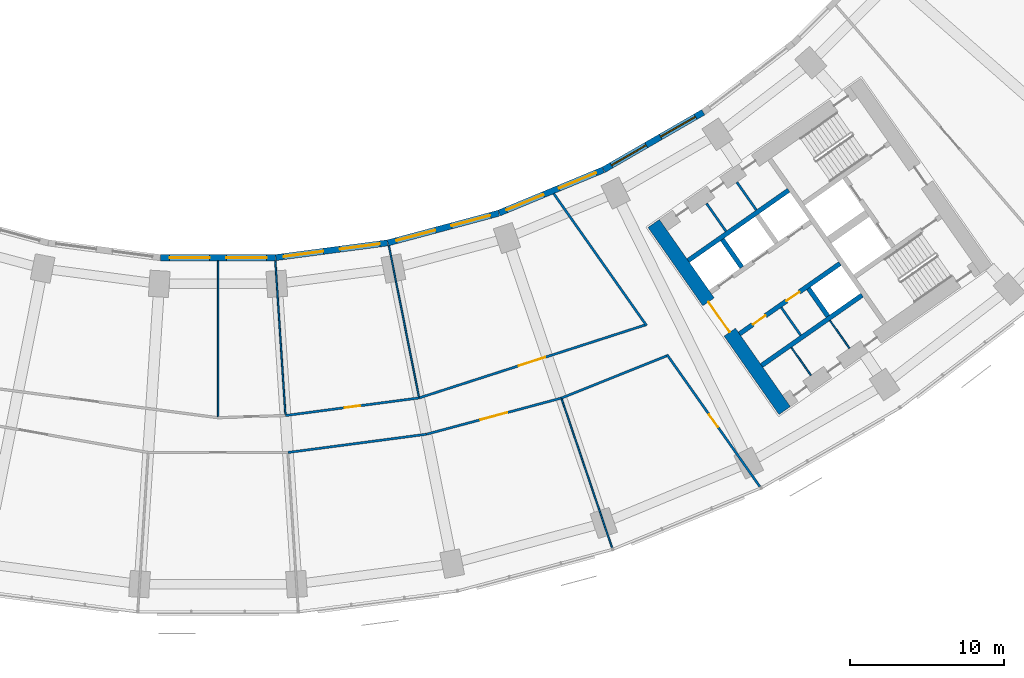
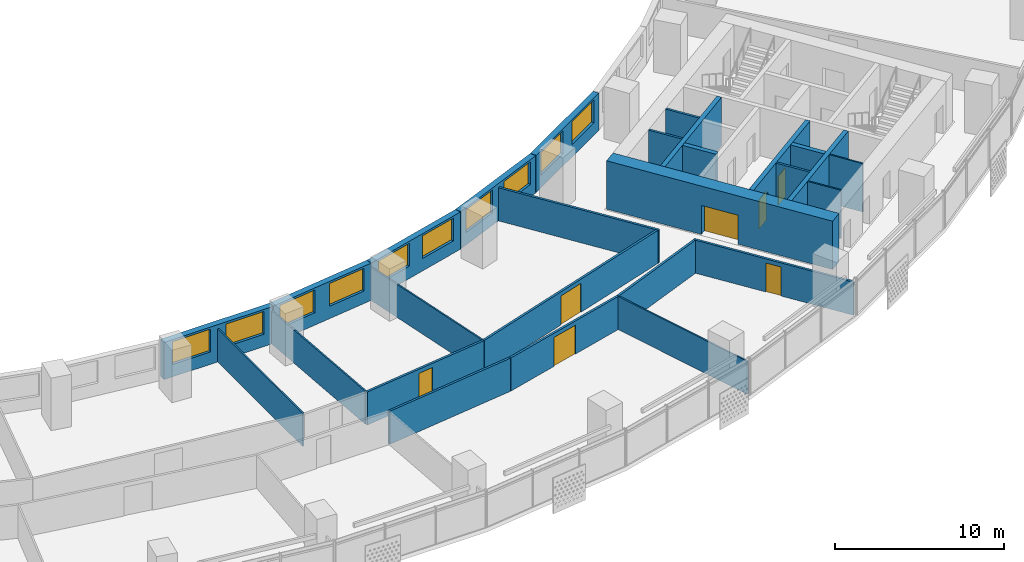
# One storey, part 6 of 31: 27 walls, 10 windows, 7 doors, 17 openings.
"""IFC4 building model written with IfcOpenShell, lengths in metres."""

from ifc_helpers import new_model, si_unit, direction, frame, frame_2d, origin, place, context, subcontext, project, spatial, rectangle, extrude, material, layer, layer_set, type_object, element, fill, save


model = new_model("IFC4")

# Units and contexts
model_context = context("Model", 3, precision=1e-05, world=origin(), true_north=direction((0.0, 1.0)))
body_context = subcontext(model_context, "Body", "Model", "MODEL_VIEW")
ifc_project = project(units=[si_unit("LENGTHUNIT", "METRE"), si_unit("AREAUNIT", "SQUARE_METRE"), si_unit("VOLUMEUNIT", "CUBIC_METRE"), si_unit("PLANEANGLEUNIT", "RADIAN"), si_unit("MASSUNIT", "GRAM", prefix="KILO")], contexts=[model_context])

# Site, building, storey
site_placement = place(None, origin())
site = spatial("IfcSite", under=ifc_project, at=site_placement, CompositionType="ELEMENT")
building_placement = place(site_placement, origin())
building = spatial("IfcBuilding", under=site, at=building_placement, Name="Qamariyya Broadcast Tower", CompositionType="ELEMENT")
storey_placement = place(building_placement, frame((0.0, 0.0, 82.300048828125)))
storey = spatial("IfcBuildingStorey", under=building, at=storey_placement, Name="L17", CompositionType="ELEMENT", Elevation=82.300048828125)

# Wall, opening, door
ifc_material_1 = material(Name="Concrete C70/85", Category="concrete")
ifc_layer_1 = layer(ifc_material_1, 0.89990234375)
ifc_layer_set_1 = layer_set([ifc_layer_1], Name="Core wall 900 mm Concrete C70/85")
wall_type_1 = type_object("IfcWallType", Name="Core wall 900 mm Concrete C70/85", PredefinedType="SHEAR", material=ifc_layer_set_1)
wall_1_placement = place(storey_placement, frame((36.716796875, -66.3369140625, 0.0), z_axis=(0.0, 0.0, 1.0), x_axis=(-0.573577477574, 0.819151315216, 0.0)))
wall_1 = element("IfcWall", 1, at=wall_1_placement, inside=storey, type_object=wall_type_1, Name="k-E-L17-WA", PredefinedType="SHEAR", context=body_context, shape_type="SweptSolid", body=[
    extrude(rectangle(XDim=14.800048828125, YDim=0.89990234375, at=frame_2d((7.39990234375, 0.0))), origin(), (0.0, 0.0, 1.0), 3.5),
])
opening_1_placement = place(wall_1_placement, frame((6.199951171875, 0.0, 0.0)))
opening_1 = element("IfcOpeningElement", 2, at=opening_1_placement, cuts=wall_1, Name="Opening KD3-E1", PredefinedType="OPENING", context=body_context, shape_type="SweptSolid", body=[
    extrude(rectangle(XDim=2.39990234375, YDim=2.10009765625, at=frame_2d((1.199951171875, 1.050048828125))), frame((0.0, 0.4599609375, 0.0), z_axis=(0.0, -1.0, 0.0), x_axis=(1.0, 0.0, 0.0)), (0.0, 0.0, 1.0), 0.919921875),
])
ifc_material_2 = material(Name="Steel fire-resisting door leaf", Category="steel")
door_type_1 = type_object("IfcDoorType", Name="Lift lobby door KD3", OperationType="DOUBLE_DOOR_SINGLE_SWING", PredefinedType="DOOR", material=ifc_material_2)
door_1_placement = place(opening_1_placement, origin())
door_1 = element("IfcDoor", 3, at=door_1_placement, inside=storey, type_object=door_type_1, Name="k-E-L17-WA-D1", OperationType="DOUBLE_DOOR_SINGLE_SWING", OverallHeight=2.10009765625, OverallWidth=2.39990234375, PredefinedType="DOOR", context=body_context, shape_type="SweptSolid", body=[
    extrude(rectangle(XDim=2.39990234375, YDim=2.10009765625, at=frame_2d((1.199951171875, 1.050048828125))), frame((0.0, 0.02490234375, 0.0), z_axis=(0.0, -1.0, 0.0), x_axis=(1.0, 0.0, 0.0)), (0.0, 0.0, 1.0), 0.050048828125),
])
fill(opening_1, door_1)

ifc_material_3 = material(Name="Gypsum board partition")
ifc_layer_2 = layer(ifc_material_3, 0.14990234375)
ifc_layer_set_2 = layer_set([ifc_layer_2], Name="Corridor partition 150 EI 60")
wall_type_2 = type_object("IfcWallType", Name="Corridor partition 150 EI 60", PredefinedType="PARTITIONING", material=ifc_layer_set_2)
wall_2_placement = place(storey_placement, frame((4.368896484375, -66.656982421875, 0.0), z_axis=(0.0, 0.0, 1.0), x_axis=(0.991443260322, 0.130538352841, 0.0)))
wall_2 = element("IfcWall", 4, at=wall_2_placement, inside=storey, type_object=wall_type_2, Name="Partition L17-017", PredefinedType="PARTITIONING", context=body_context, shape_type="SweptSolid", body=[
    extrude(rectangle(XDim=8.73779296875, YDim=0.14990234375, at=frame_2d((4.368896484375, 0.0))), origin(), (0.0, 0.0, 1.0), 2.39990234375),
])
opening_2_placement = place(wall_2_placement, frame((3.868896484375, 0.0, 0.0)))
opening_2 = element("IfcOpeningElement", 5, at=opening_2_placement, cuts=wall_2, Name="Opening L17-D10", PredefinedType="OPENING", context=body_context, shape_type="SweptSolid", body=[
    extrude(rectangle(XDim=1.0, YDim=2.10009765625, at=frame_2d((0.5, 1.050048828125))), frame((0.0, 0.0849609375, 0.0), z_axis=(0.0, -1.0, 0.0), x_axis=(1.0, 0.0, 0.0)), (0.0, 0.0, 1.0), 0.169921875),
])
ifc_material_4 = material(Name="Timber fire door leaf", Category="wood")
door_type_2 = type_object("IfcDoorType", Name="Fire door 1000 x 2100 FD60", OperationType="NOTDEFINED", PredefinedType="DOOR", material=ifc_material_4)
door_2_placement = place(opening_2_placement, origin())
door_2 = element("IfcDoor", 6, at=door_2_placement, inside=storey, type_object=door_type_2, Name="Door L17-D10", OperationType="SINGLE_SWING_RIGHT", OverallHeight=2.10009765625, OverallWidth=1.0, PredefinedType="DOOR", context=body_context, shape_type="SweptSolid", body=[
    extrude(rectangle(XDim=1.0, YDim=2.10009765625, at=frame_2d((0.5, 1.050048828125))), frame((0.0, 0.02490234375, 0.0), z_axis=(0.0, -1.0, 0.0), x_axis=(1.0, 0.0, 0.0)), (0.0, 0.0, 1.0), 0.050048828125),
])
fill(opening_2, door_2)

# Wall
wall_3_placement = place(storey_placement, frame((4.52587890625, -69.0517578125, 0.0), z_axis=(0.0, 0.0, 1.0), x_axis=(0.991445564509, 0.130520851265, 0.0)))
element("IfcWall", 7, at=wall_3_placement, inside=storey, type_object=wall_type_2, Name="Partition L17-018", PredefinedType="PARTITIONING", context=body_context, shape_type="SweptSolid", body=[
    extrude(rectangle(XDim=9.0439453125, YDim=0.14990234375, at=frame_2d((4.52197265625, 0.0))), origin(), (0.0, 0.0, 1.0), 2.39990234375),
])

# Wall, opening, door
wall_4_placement = place(storey_placement, frame((13.031982421875, -65.516357421875, 0.0), z_axis=(0.0, 0.0, 1.0), x_axis=(0.951666530015, 0.307133221338, 0.0)))
wall_4 = element("IfcWall", 8, at=wall_4_placement, inside=storey, type_object=wall_type_2, Name="Partition L17-021", PredefinedType="PARTITIONING", context=body_context, shape_type="SweptSolid", body=[
    extrude(rectangle(XDim=15.3662109375, YDim=0.14990234375, at=frame_2d((7.68310546875, 0.0))), origin(), (0.0, 0.0, 1.0), 2.39990234375),
])
opening_3_placement = place(wall_4_placement, frame((6.782958984375, 0.0, 0.0)))
opening_3 = element("IfcOpeningElement", 9, at=opening_3_placement, cuts=wall_4, Name="Opening L17-D11", PredefinedType="OPENING", context=body_context, shape_type="SweptSolid", body=[
    extrude(rectangle(XDim=1.800048828125, YDim=2.10009765625, at=frame_2d((0.89990234375, 1.050048828125))), frame((0.0, 0.0849609375, 0.0), z_axis=(0.0, -1.0, 0.0), x_axis=(1.0, 0.0, 0.0)), (0.0, 0.0, 1.0), 0.169921875),
])
door_type_3 = type_object("IfcDoorType", Name="Double fire door 1800 x 2100 FD60", OperationType="NOTDEFINED", PredefinedType="DOOR", material=ifc_material_4)
door_3_placement = place(opening_3_placement, origin())
door_3 = element("IfcDoor", 10, at=door_3_placement, inside=storey, type_object=door_type_3, Name="Door L17-D11", OperationType="DOUBLE_DOOR_SINGLE_SWING", OverallHeight=2.10009765625, OverallWidth=1.800048828125, PredefinedType="DOOR", context=body_context, shape_type="SweptSolid", body=[
    extrude(rectangle(XDim=1.800048828125, YDim=2.10009765625, at=frame_2d((0.89990234375, 1.050048828125))), frame((0.0, 0.02490234375, 0.0), z_axis=(0.0, -1.0, 0.0), x_axis=(1.0, 0.0, 0.0)), (0.0, 0.0, 1.0), 0.050048828125),
])
fill(opening_3, door_3)

wall_5_placement = place(storey_placement, frame((22.24365234375, -65.527587890625, 0.0), z_axis=(0.0, 0.0, 1.0), x_axis=(-0.965924193115, -0.258825140115, 0.0)))
wall_5 = element("IfcWall", 11, at=wall_5_placement, inside=storey, type_object=wall_type_2, Name="Partition L17-022", PredefinedType="PARTITIONING", context=body_context, shape_type="SweptSolid", body=[
    extrude(rectangle(XDim=9.0439453125, YDim=0.14990234375, at=frame_2d((4.52197265625, 0.0))), origin(), (0.0, 0.0, 1.0), 2.39990234375),
])
opening_4_placement = place(wall_5_placement, frame((3.621826171875, 0.0, 0.0)))
opening_4 = element("IfcOpeningElement", 12, at=opening_4_placement, cuts=wall_5, Name="Opening L17-D05", PredefinedType="OPENING", context=body_context, shape_type="SweptSolid", body=[
    extrude(rectangle(XDim=1.800048828125, YDim=2.10009765625, at=frame_2d((0.89990234375, 1.050048828125))), frame((0.0, 0.0849609375, 0.0), z_axis=(0.0, -1.0, 0.0), x_axis=(1.0, 0.0, 0.0)), (0.0, 0.0, 1.0), 0.169921875),
])
door_4_placement = place(opening_4_placement, origin())
door_4 = element("IfcDoor", 13, at=door_4_placement, inside=storey, type_object=door_type_3, Name="Door L17-D05", OperationType="DOUBLE_DOOR_SINGLE_SWING", OverallHeight=2.10009765625, OverallWidth=1.800048828125, PredefinedType="DOOR", context=body_context, shape_type="SweptSolid", body=[
    extrude(rectangle(XDim=1.800048828125, YDim=2.10009765625, at=frame_2d((0.89990234375, 1.050048828125))), frame((0.0, 0.02490234375, 0.0), z_axis=(0.0, -1.0, 0.0), x_axis=(1.0, 0.0, 0.0)), (0.0, 0.0, 1.0), 0.050048828125),
])
fill(opening_4, door_4)

# Walls
wall_6_placement = place(storey_placement, frame((21.748291015625, -52.2763671875, 0.0), z_axis=(0.0, 0.0, 1.0), x_axis=(0.575419434668, -0.817858468322, 0.0)))
element("IfcWall", 14, at=wall_6_placement, inside=storey, type_object=wall_type_2, Name="Partition L17-023", PredefinedType="PARTITIONING", context=body_context, shape_type="SweptSolid", body=[
    extrude(rectangle(XDim=10.46484375, YDim=0.14990234375, at=frame_2d((5.232421875, 0.0))), origin(), (0.0, 0.0, 1.0), 2.39990234375),
])
wall_7_placement = place(storey_placement, frame((22.24365234375, -65.527587890625, 0.0), z_axis=(0.0, 0.0, 1.0), x_axis=(0.928339065762, 0.371734554462, 0.0)))
element("IfcWall", 15, at=wall_7_placement, inside=storey, type_object=wall_type_2, Name="Partition L17-024", PredefinedType="PARTITIONING", context=body_context, shape_type="SweptSolid", body=[
    extrude(rectangle(XDim=7.343994140625, YDim=0.14990234375, at=frame_2d((3.671875, 0.0))), origin(), (0.0, 0.0, 1.0), 2.39990234375),
])

# Wall, opening, door
wall_8_placement = place(storey_placement, frame((35.11328125, -71.2724609375, 0.0), z_axis=(0.0, 0.0, 1.0), x_axis=(-0.575411972256, 0.817863718589, 0.0)))
wall_8 = element("IfcWall", 16, at=wall_8_placement, inside=storey, type_object=wall_type_2, Name="Partition L17-026", PredefinedType="PARTITIONING", context=body_context, shape_type="SweptSolid", body=[
    extrude(rectangle(XDim=10.471435546875, YDim=0.14990234375, at=frame_2d((5.23583984375, 0.0))), origin(), (0.0, 0.0, 1.0), 2.39990234375),
])
opening_5_placement = place(wall_8_placement, frame((4.735595703125, 0.0, 0.0)))
opening_5 = element("IfcOpeningElement", 17, at=opening_5_placement, cuts=wall_8, Name="Opening L17-D06", PredefinedType="OPENING", context=body_context, shape_type="SweptSolid", body=[
    extrude(rectangle(XDim=1.0, YDim=2.10009765625, at=frame_2d((0.5, 1.050048828125))), frame((0.0, 0.0849609375, 0.0), z_axis=(0.0, -1.0, 0.0), x_axis=(1.0, 0.0, 0.0)), (0.0, 0.0, 1.0), 0.169921875),
])
door_5_placement = place(opening_5_placement, origin())
door_5 = element("IfcDoor", 18, at=door_5_placement, inside=storey, type_object=door_type_2, Name="Door L17-D06", OperationType="SINGLE_SWING_RIGHT", OverallHeight=2.10009765625, OverallWidth=1.0, PredefinedType="DOOR", context=body_context, shape_type="SweptSolid", body=[
    extrude(rectangle(XDim=1.0, YDim=2.10009765625, at=frame_2d((0.5, 1.050048828125))), frame((0.0, 0.02490234375, 0.0), z_axis=(0.0, -1.0, 0.0), x_axis=(1.0, 0.0, 0.0)), (0.0, 0.0, 1.0), 0.050048828125),
])
fill(opening_5, door_5)

# Walls
ifc_material_5 = material(Name="Gypsum board partition on steel studs", Category="steel")
ifc_layer_3 = layer(ifc_material_5, 0.14990234375)
ifc_layer_set_3 = layer_set([ifc_layer_3], Name="Gypsum board partition 150 mm")
wall_type_3 = type_object("IfcWallType", Name="Gypsum board partition 150 mm", PredefinedType="PARTITIONING", material=ifc_layer_set_3)
wall_9_placement = place(storey_placement, frame((36.49462890625, -59.65625, 0.0), z_axis=(0.0, 0.0, 1.0), x_axis=(0.573633636671, -0.819111989218, 0.0)))
element("IfcWall", 19, at=wall_9_placement, inside=storey, type_object=wall_type_3, Name="k-E-L17-SC320", PredefinedType="PARTITIONING", context=body_context, shape_type="SweptSolid", body=[
    extrude(rectangle(XDim=2.199951171875, YDim=0.14990234375, at=frame_2d((1.10009765625, 0.0))), origin(), (0.0, 0.0, 1.0), 3.5),
])
wall_10_placement = place(storey_placement, frame((32.9140625, -54.716796875, 0.0), z_axis=(0.0, 0.0, 1.0), x_axis=(-0.573581496053, 0.819148501424, 0.0)))
element("IfcWall", 20, at=wall_10_placement, inside=storey, type_object=wall_type_3, Name="k-E-L17-NP310", PredefinedType="PARTITIONING", context=body_context, shape_type="SweptSolid", body=[
    extrude(rectangle(XDim=2.2001953125, YDim=0.14990234375, at=frame_2d((1.10009765625, 0.0))), origin(), (0.0, 0.0, 1.0), 3.5),
])
wall_11_placement = place(storey_placement, frame((34.8798828125, -53.340087890625, 0.0), z_axis=(0.0, 0.0, 1.0), x_axis=(-0.573559170999, 0.819164133348, 0.0)))
element("IfcWall", 21, at=wall_11_placement, inside=storey, type_object=wall_type_3, Name="k-E-L17-NP550", PredefinedType="PARTITIONING", context=body_context, shape_type="SweptSolid", body=[
    extrude(rectangle(XDim=2.19970703125, YDim=0.14990234375, at=frame_2d((1.099853515625, 0.0))), origin(), (0.0, 0.0, 1.0), 3.5),
])
ifc_material_6 = material(Name="Concrete C60/75", Category="concrete")
ifc_layer_4 = layer(ifc_material_6, 0.300048828125)
ifc_layer_set_4 = layer_set([ifc_layer_4], Name="Lift shaft wall 300 mm Concrete C60/75")
wall_type_4 = type_object("IfcWallType", Name="Lift shaft wall 300 mm Concrete C60/75", PredefinedType="SOLIDWALL", material=ifc_layer_set_4)
wall_12_placement = place(storey_placement, frame((30.460693359375, -56.61767578125, 0.0), z_axis=(0.0, 0.0, 1.0), x_axis=(0.819142461705, 0.573590121456, 0.0)))
element("IfcWall", 22, at=wall_12_placement, inside=storey, type_object=wall_type_4, Name="k-E-L17-NB0", PredefinedType="SOLIDWALL", context=body_context, shape_type="SweptSolid", body=[
    extrude(rectangle(XDim=7.949951171875, YDim=0.300048828125, at=frame_2d((3.97509765625, 0.0))), origin(), (0.0, 0.0, 1.0), 3.5),
])
wall_13_placement = place(storey_placement, frame((33.9384765625, -57.051513671875, 0.0), z_axis=(0.0, 0.0, 1.0), x_axis=(-0.573581496053, 0.819148501424, 0.0)))
element("IfcWall", 23, at=wall_13_placement, inside=storey, type_object=wall_type_4, Name="k-E-L17-ND0", PredefinedType="SOLIDWALL", context=body_context, shape_type="SweptSolid", body=[
    extrude(rectangle(XDim=2.2001953125, YDim=0.300048828125, at=frame_2d((1.10009765625, 0.0))), origin(), (0.0, 0.0, 1.0), 3.5),
])

# Wall, openings, doors
wall_14_placement = place(storey_placement, frame((33.787353515625, -61.368896484375, 0.0), z_axis=(0.0, 0.0, 1.0), x_axis=(0.819152564888, 0.573575692858, 0.0)))
wall_14 = element("IfcWall", 24, at=wall_14_placement, inside=storey, type_object=wall_type_4, Name="k-E-L17-SF0", PredefinedType="SOLIDWALL", context=body_context, shape_type="SweptSolid", body=[
    extrude(rectangle(XDim=7.9501953125, YDim=0.300048828125, at=frame_2d((3.97509765625, 0.0))), origin(), (0.0, 0.0, 1.0), 3.5),
])
opening_6_placement = place(wall_14_placement, frame((1.0625, 0.0, 0.0)))
opening_6 = element("IfcOpeningElement", 25, at=opening_6_placement, cuts=wall_14, Name="Opening KD6-E1", PredefinedType="OPENING", context=body_context, shape_type="SweptSolid", body=[
    extrude(rectangle(XDim=1.0, YDim=2.10009765625, at=frame_2d((0.5, 1.050048828125))), frame((0.0, 0.159912109375, 0.0), z_axis=(0.0, -1.0, 0.0), x_axis=(1.0, 0.0, 0.0)), (0.0, 0.0, 1.0), 0.320068359375),
])
opening_7_placement = place(wall_14_placement, frame((3.737548828125, 0.0, 0.0)))
opening_7 = element("IfcOpeningElement", 26, at=opening_7_placement, cuts=wall_14, Name="Opening KD6-E2", PredefinedType="OPENING", context=body_context, shape_type="SweptSolid", body=[
    extrude(rectangle(XDim=1.0, YDim=2.10009765625, at=frame_2d((0.5, 1.050048828125))), frame((0.0, 0.159912109375, 0.0), z_axis=(0.0, -1.0, 0.0), x_axis=(1.0, 0.0, 0.0)), (0.0, 0.0, 1.0), 0.320068359375),
])
door_type_4 = type_object("IfcDoorType", Name="Core room door KD6", OperationType="SINGLE_SWING_LEFT", PredefinedType="DOOR", material=ifc_material_2)
door_6_placement = place(opening_6_placement, origin())
door_6 = element("IfcDoor", 27, at=door_6_placement, inside=storey, type_object=door_type_4, Name="k-E-L17-SF0-D5", OperationType="SINGLE_SWING_LEFT", OverallHeight=2.10009765625, OverallWidth=1.0, PredefinedType="DOOR", context=body_context, shape_type="SweptSolid", body=[
    extrude(rectangle(XDim=1.0, YDim=2.10009765625, at=frame_2d((0.5, 1.050048828125))), frame((0.0, 0.02490234375, 0.0), z_axis=(0.0, -1.0, 0.0), x_axis=(1.0, 0.0, 0.0)), (0.0, 0.0, 1.0), 0.050048828125),
])
fill(opening_6, door_6)
door_7_placement = place(opening_7_placement, origin())
door_7 = element("IfcDoor", 28, at=door_7_placement, inside=storey, type_object=door_type_4, Name="k-E-L17-SF0-D6", OperationType="SINGLE_SWING_RIGHT", OverallHeight=2.10009765625, OverallWidth=1.0, PredefinedType="DOOR", context=body_context, shape_type="SweptSolid", body=[
    extrude(rectangle(XDim=1.0, YDim=2.10009765625, at=frame_2d((0.5, 1.050048828125))), frame((0.0, 0.02490234375, 0.0), z_axis=(0.0, -1.0, 0.0), x_axis=(1.0, 0.0, 0.0)), (0.0, 0.0, 1.0), 0.050048828125),
])
fill(opening_7, door_7)

# Walls
wall_15_placement = place(storey_placement, frame((35.22119140625, -63.41650390625, 0.0), z_axis=(0.0, 0.0, 1.0), x_axis=(0.819166993208, 0.573555086491, 0.0)))
element("IfcWall", 29, at=wall_15_placement, inside=storey, type_object=wall_type_4, Name="k-E-L17-SB0", PredefinedType="SOLIDWALL", context=body_context, shape_type="SweptSolid", body=[
    extrude(rectangle(XDim=7.9501953125, YDim=0.300048828125, at=frame_2d((3.97509765625, 0.0))), origin(), (0.0, 0.0, 1.0), 3.5),
])
wall_16_placement = place(storey_placement, frame((38.255859375, -58.423095703125, 0.0), z_axis=(0.0, 0.0, 1.0), x_axis=(0.573633636671, -0.819111989218, 0.0)))
element("IfcWall", 30, at=wall_16_placement, inside=storey, type_object=wall_type_4, Name="k-E-L17-SD1", PredefinedType="SOLIDWALL", context=body_context, shape_type="SweptSolid", body=[
    extrude(rectangle(XDim=2.199951171875, YDim=0.300048828125, at=frame_2d((1.10009765625, 0.0))), origin(), (0.0, 0.0, 1.0), 3.5),
])
ifc_layer_5 = layer(ifc_material_3, 0.10009765625)
ifc_layer_set_5 = layer_set([ifc_layer_5], Name="Partition 100")
wall_type_5 = type_object("IfcWallType", Name="Partition 100", PredefinedType="PARTITIONING", material=ifc_layer_set_5)
wall_17_placement = place(storey_placement, frame((0.0, -56.62939453125, 0.0), z_axis=(0.0, 0.0, 1.0), x_axis=(0.0, -1.0, 0.0)))
element("IfcWall", 31, at=wall_17_placement, inside=storey, type_object=wall_type_5, Name="Partition L17-015", PredefinedType="PARTITIONING", context=body_context, shape_type="SweptSolid", body=[
    extrude(rectangle(XDim=10.095703125, YDim=0.10009765625, at=frame_2d((5.0478515625, 0.0))), origin(), (0.0, 0.0, 1.0), 2.39990234375),
])
for number, where, z_axis, x_axis, name in (
    (32, (3.711669921875, -56.62841796875, 0.0), (0.0, 0.0, 1.0), (0.06539808502, -0.997859253841, 0.0), "Partition L17-016"),
    (33, (11.0712890625, -55.65966796875, 0.0), (0.0, 0.0, 1.0), (0.195094645032, -0.980784420492, 0.0), "Partition L17-020"),
):
    element("IfcWall", number, at=place(storey_placement, frame(where, z_axis=z_axis, x_axis=x_axis)), inside=storey, type_object=wall_type_5, Name=name, PredefinedType="PARTITIONING", context=body_context, shape_type="SweptSolid", body=[
        extrude(rectangle(XDim=9.974853515625, YDim=0.10009765625, at=frame_2d((4.9873046875, 0.0))), origin(), (0.0, 0.0, 1.0), 2.39990234375),
    ])
wall_18_placement = place(storey_placement, frame((25.538330078125, -75.233642578125, 0.0), z_axis=(0.0, 0.0, 1.0), x_axis=(-0.32142736677, 0.946934236308, 0.0)))
element("IfcWall", 34, at=wall_18_placement, inside=storey, type_object=wall_type_5, Name="Partition L17-025", PredefinedType="PARTITIONING", context=body_context, shape_type="SweptSolid", body=[
    extrude(rectangle(XDim=10.175048828125, YDim=0.10009765625, at=frame_2d((5.08740234375, 0.0))), origin(), (0.0, 0.0, 1.0), 2.39990234375),
])
ifc_material_7 = material(Name="Fire-rated gypsum shaft liner on steel studs", Category="steel")
ifc_layer_6 = layer(ifc_material_7, 0.10009765625)
ifc_layer_set_6 = layer_set([ifc_layer_6], Name="Riser wall 100 mm")
wall_type_6 = type_object("IfcWallType", Name="Riser wall 100 mm", PredefinedType="PLUMBINGWALL", material=ifc_layer_set_6)
for number, where, z_axis, x_axis, name in (
    (35, (37.150390625, -62.2490234375, 0.0), (0.0, 0.0, 1.0), (0.573633636671, -0.819111989218, 0.0), "k-E-L17-SP225"),
    (36, (39.64892578125, -60.49951171875, 0.0), (0.0, 0.0, 1.0), (0.573507030513, -0.819200638399, 0.0), "k-E-L17-SP530"),
):
    element("IfcWall", number, at=place(storey_placement, frame(where, z_axis=z_axis, x_axis=x_axis)), inside=storey, type_object=wall_type_6, Name=name, PredefinedType="PLUMBINGWALL", context=body_context, shape_type="SweptSolid", body=[
        extrude(rectangle(XDim=2.199951171875, YDim=0.10009765625, at=frame_2d((1.10009765625, 0.0))), origin(), (0.0, 0.0, 1.0), 3.5),
    ])

# Wall, openings, windows
ifc_material_8 = material(Name="Terracotta", Category="masonry")
ifc_layer_7 = layer(ifc_material_8, 0.39990234375)
ifc_layer_set_7 = layer_set([ifc_layer_7], Name="Terracotta clad wall 400")
wall_type_7 = type_object("IfcWallType", Name="Terracotta clad wall 400", PredefinedType="SOLIDWALL", material=ifc_layer_set_7)
wall_19_placement = place(storey_placement, frame((18.20166015625, -53.542724609375, 0.0), z_axis=(0.0, 0.0, 1.0), x_axis=(-0.965924637935, -0.25882348006, 0.0)))
wall_19 = element("IfcWall", 37, at=wall_19_placement, inside=storey, type_object=wall_type_7, Name="e-wl-L17-in100", PredefinedType="SOLIDWALL", context=body_context, shape_type="SweptSolid", body=[
    extrude(rectangle(XDim=7.447021484375, YDim=0.39990234375, at=frame_2d((3.7236328125, 0.0))), origin(), (0.0, 0.0, 1.0), 2.699951171875),
])
opening_8_placement = place(wall_19_placement, frame((4.266357421875, 0.0, 0.89990234375)))
opening_8 = element("IfcOpeningElement", 38, at=opening_8_placement, cuts=wall_19, Name="Opening W1", PredefinedType="OPENING", context=body_context, shape_type="SweptSolid", body=[
    extrude(rectangle(XDim=2.60009765625, YDim=1.64990234375, at=frame_2d((1.300048828125, 0.824951171875))), frame((0.0, 0.2099609375, 0.0), z_axis=(0.0, -1.0, 0.0), x_axis=(1.0, 0.0, 0.0)), (0.0, 0.0, 1.0), 0.419921875),
])
opening_9_placement = place(wall_19_placement, frame((0.580810546875, 0.0, 0.89990234375)))
opening_9 = element("IfcOpeningElement", 39, at=opening_9_placement, cuts=wall_19, Name="Opening W1", PredefinedType="OPENING", context=body_context, shape_type="SweptSolid", body=[
    extrude(rectangle(XDim=2.60009765625, YDim=1.64990234375, at=frame_2d((1.300048828125, 0.824951171875))), frame((0.0, 0.2099609375, 0.0), z_axis=(0.0, -1.0, 0.0), x_axis=(1.0, 0.0, 0.0)), (0.0, 0.0, 1.0), 0.419921875),
])
ifc_material_9 = material(Name="Clear low-e double glazed unit in aluminium frame", Category="aluminium")
window_type = type_object("IfcWindowType", Name="Ribbon window 2600 x 1650", PartitioningType="SINGLE_PANEL", PredefinedType="WINDOW", material=ifc_material_9)
window_1_placement = place(opening_8_placement, origin())
window_1 = element("IfcWindow", 40, at=window_1_placement, inside=storey, type_object=window_type, Name="e-w-L17-in10-0", OverallHeight=1.64990234375, OverallWidth=2.60009765625, PartitioningType="SINGLE_PANEL", PredefinedType="WINDOW", context=body_context, shape_type="SweptSolid", body=[
    extrude(rectangle(XDim=2.60009765625, YDim=1.64990234375, at=frame_2d((1.300048828125, 0.824951171875))), frame((0.0, 0.030029296875, 0.0), z_axis=(0.0, -1.0, 0.0), x_axis=(1.0, 0.0, 0.0)), (0.0, 0.0, 1.0), 0.06005859375),
])
fill(opening_8, window_1)
window_2_placement = place(opening_9_placement, origin())
window_2 = element("IfcWindow", 41, at=window_2_placement, inside=storey, type_object=window_type, Name="e-w-L17-in10-1", OverallHeight=1.64990234375, OverallWidth=2.60009765625, PartitioningType="SINGLE_PANEL", PredefinedType="WINDOW", context=body_context, shape_type="SweptSolid", body=[
    extrude(rectangle(XDim=2.60009765625, YDim=1.64990234375, at=frame_2d((1.300048828125, 0.824951171875))), frame((0.0, 0.030029296875, 0.0), z_axis=(0.0, -1.0, 0.0), x_axis=(1.0, 0.0, 0.0)), (0.0, 0.0, 1.0), 0.06005859375),
])
fill(opening_9, window_2)

wall_20_placement = place(storey_placement, frame((24.96484375, -50.738037109375, 0.0), z_axis=(0.0, 0.0, 1.0), x_axis=(-0.923891626322, -0.382654234018, 0.0)))
wall_20 = element("IfcWall", 42, at=wall_20_placement, inside=storey, type_object=wall_type_7, Name="e-wl-L17-in110", PredefinedType="SOLIDWALL", context=body_context, shape_type="SweptSolid", body=[
    extrude(rectangle(XDim=7.295654296875, YDim=0.39990234375, at=frame_2d((3.64794921875, 0.0))), origin(), (0.0, 0.0, 1.0), 2.699951171875),
])
opening_10_placement = place(wall_20_placement, frame((4.190673828125, 0.0, 0.89990234375)))
opening_10 = element("IfcOpeningElement", 43, at=opening_10_placement, cuts=wall_20, Name="Opening W1", PredefinedType="OPENING", context=body_context, shape_type="SweptSolid", body=[
    extrude(rectangle(XDim=2.60009765625, YDim=1.64990234375, at=frame_2d((1.300048828125, 0.824951171875))), frame((0.0, 0.2099609375, 0.0), z_axis=(0.0, -1.0, 0.0), x_axis=(1.0, 0.0, 0.0)), (0.0, 0.0, 1.0), 0.419921875),
])
opening_11_placement = place(wall_20_placement, frame((0.505126953125, 0.0, 0.89990234375)))
opening_11 = element("IfcOpeningElement", 44, at=opening_11_placement, cuts=wall_20, Name="Opening W1", PredefinedType="OPENING", context=body_context, shape_type="SweptSolid", body=[
    extrude(rectangle(XDim=2.60009765625, YDim=1.64990234375, at=frame_2d((1.300048828125, 0.824951171875))), frame((0.0, 0.2099609375, 0.0), z_axis=(0.0, -1.0, 0.0), x_axis=(1.0, 0.0, 0.0)), (0.0, 0.0, 1.0), 0.419921875),
])
window_3_placement = place(opening_10_placement, origin())
window_3 = element("IfcWindow", 45, at=window_3_placement, inside=storey, type_object=window_type, Name="e-w-L17-in11-0", OverallHeight=1.64990234375, OverallWidth=2.60009765625, PartitioningType="SINGLE_PANEL", PredefinedType="WINDOW", context=body_context, shape_type="SweptSolid", body=[
    extrude(rectangle(XDim=2.60009765625, YDim=1.64990234375, at=frame_2d((1.300048828125, 0.824951171875))), frame((0.0, 0.030029296875, 0.0), z_axis=(0.0, -1.0, 0.0), x_axis=(1.0, 0.0, 0.0)), (0.0, 0.0, 1.0), 0.06005859375),
])
fill(opening_10, window_3)
window_4_placement = place(opening_11_placement, origin())
window_4 = element("IfcWindow", 46, at=window_4_placement, inside=storey, type_object=window_type, Name="e-w-L17-in11-1", OverallHeight=1.64990234375, OverallWidth=2.60009765625, PartitioningType="SINGLE_PANEL", PredefinedType="WINDOW", context=body_context, shape_type="SweptSolid", body=[
    extrude(rectangle(XDim=2.60009765625, YDim=1.64990234375, at=frame_2d((1.300048828125, 0.824951171875))), frame((0.0, 0.030029296875, 0.0), z_axis=(0.0, -1.0, 0.0), x_axis=(1.0, 0.0, 0.0)), (0.0, 0.0, 1.0), 0.06005859375),
])
fill(opening_11, window_4)

wall_21_placement = place(storey_placement, frame((31.439453125, -47.007568359375, 0.0), z_axis=(0.0, 0.0, 1.0), x_axis=(-0.866037641005, -0.499978803913, 0.0)))
wall_21 = element("IfcWall", 47, at=wall_21_placement, inside=storey, type_object=wall_type_7, Name="e-wl-L17-in120", PredefinedType="SOLIDWALL", context=body_context, shape_type="SweptSolid", body=[
    extrude(rectangle(XDim=7.447021484375, YDim=0.39990234375, at=frame_2d((3.7236328125, 0.0))), origin(), (0.0, 0.0, 1.0), 2.699951171875),
])
opening_12_placement = place(wall_21_placement, frame((4.266357421875, 0.0, 0.89990234375)))
opening_12 = element("IfcOpeningElement", 48, at=opening_12_placement, cuts=wall_21, Name="Opening W1", PredefinedType="OPENING", context=body_context, shape_type="SweptSolid", body=[
    extrude(rectangle(XDim=2.60009765625, YDim=1.64990234375, at=frame_2d((1.300048828125, 0.824951171875))), frame((0.0, 0.2099609375, 0.0), z_axis=(0.0, -1.0, 0.0), x_axis=(1.0, 0.0, 0.0)), (0.0, 0.0, 1.0), 0.419921875),
])
opening_13_placement = place(wall_21_placement, frame((0.580810546875, 0.0, 0.89990234375)))
opening_13 = element("IfcOpeningElement", 49, at=opening_13_placement, cuts=wall_21, Name="Opening W1", PredefinedType="OPENING", context=body_context, shape_type="SweptSolid", body=[
    extrude(rectangle(XDim=2.60009765625, YDim=1.64990234375, at=frame_2d((1.300048828125, 0.824951171875))), frame((0.0, 0.2099609375, 0.0), z_axis=(0.0, -1.0, 0.0), x_axis=(1.0, 0.0, 0.0)), (0.0, 0.0, 1.0), 0.419921875),
])
window_5_placement = place(opening_12_placement, origin())
window_5 = element("IfcWindow", 50, at=window_5_placement, inside=storey, type_object=window_type, Name="e-w-L17-in12-0", OverallHeight=1.64990234375, OverallWidth=2.60009765625, PartitioningType="SINGLE_PANEL", PredefinedType="WINDOW", context=body_context, shape_type="SweptSolid", body=[
    extrude(rectangle(XDim=2.60009765625, YDim=1.64990234375, at=frame_2d((1.300048828125, 0.824951171875))), frame((0.0, 0.030029296875, 0.0), z_axis=(0.0, -1.0, 0.0), x_axis=(1.0, 0.0, 0.0)), (0.0, 0.0, 1.0), 0.06005859375),
])
fill(opening_12, window_5)
window_6_placement = place(opening_13_placement, origin())
window_6 = element("IfcWindow", 51, at=window_6_placement, inside=storey, type_object=window_type, Name="e-w-L17-in12-1", OverallHeight=1.64990234375, OverallWidth=2.60009765625, PartitioningType="SINGLE_PANEL", PredefinedType="WINDOW", context=body_context, shape_type="SweptSolid", body=[
    extrude(rectangle(XDim=2.60009765625, YDim=1.64990234375, at=frame_2d((1.300048828125, 0.824951171875))), frame((0.0, 0.030029296875, 0.0), z_axis=(0.0, -1.0, 0.0), x_axis=(1.0, 0.0, 0.0)), (0.0, 0.0, 1.0), 0.06005859375),
])
fill(opening_13, window_6)

wall_22_placement = place(storey_placement, frame((3.7236328125, -56.429443359375, 0.0), z_axis=(0.0, 0.0, 1.0), x_axis=(-1.0, 0.0, 0.0)))
wall_22 = element("IfcWall", 52, at=wall_22_placement, inside=storey, type_object=wall_type_7, Name="e-wl-L17-in80", PredefinedType="SOLIDWALL", context=body_context, shape_type="SweptSolid", body=[
    extrude(rectangle(XDim=7.447265625, YDim=0.39990234375, at=frame_2d((3.7236328125, 0.0))), origin(), (0.0, 0.0, 1.0), 2.699951171875),
])
opening_14_placement = place(wall_22_placement, frame((4.266357421875, 0.0, 0.89990234375)))
opening_14 = element("IfcOpeningElement", 53, at=opening_14_placement, cuts=wall_22, Name="Opening W1", PredefinedType="OPENING", context=body_context, shape_type="SweptSolid", body=[
    extrude(rectangle(XDim=2.60009765625, YDim=1.64990234375, at=frame_2d((1.300048828125, 0.824951171875))), frame((0.0, 0.2099609375, 0.0), z_axis=(0.0, -1.0, 0.0), x_axis=(1.0, 0.0, 0.0)), (0.0, 0.0, 1.0), 0.419921875),
])
opening_15_placement = place(wall_22_placement, frame((0.580810546875, 0.0, 0.89990234375)))
opening_15 = element("IfcOpeningElement", 54, at=opening_15_placement, cuts=wall_22, Name="Opening W1", PredefinedType="OPENING", context=body_context, shape_type="SweptSolid", body=[
    extrude(rectangle(XDim=2.60009765625, YDim=1.64990234375, at=frame_2d((1.300048828125, 0.824951171875))), frame((0.0, 0.2099609375, 0.0), z_axis=(0.0, -1.0, 0.0), x_axis=(1.0, 0.0, 0.0)), (0.0, 0.0, 1.0), 0.419921875),
])
window_7_placement = place(opening_14_placement, origin())
window_7 = element("IfcWindow", 55, at=window_7_placement, inside=storey, type_object=window_type, Name="e-w-L17-in08-0", OverallHeight=1.64990234375, OverallWidth=2.60009765625, PartitioningType="SINGLE_PANEL", PredefinedType="WINDOW", context=body_context, shape_type="SweptSolid", body=[
    extrude(rectangle(XDim=2.60009765625, YDim=1.64990234375, at=frame_2d((1.300048828125, 0.824951171875))), frame((0.0, 0.030029296875, 0.0), z_axis=(0.0, -1.0, 0.0), x_axis=(1.0, 0.0, 0.0)), (0.0, 0.0, 1.0), 0.06005859375),
])
fill(opening_14, window_7)
window_8_placement = place(opening_15_placement, origin())
window_8 = element("IfcWindow", 56, at=window_8_placement, inside=storey, type_object=window_type, Name="e-w-L17-in08-1", OverallHeight=1.64990234375, OverallWidth=2.60009765625, PartitioningType="SINGLE_PANEL", PredefinedType="WINDOW", context=body_context, shape_type="SweptSolid", body=[
    extrude(rectangle(XDim=2.60009765625, YDim=1.64990234375, at=frame_2d((1.300048828125, 0.824951171875))), frame((0.0, 0.030029296875, 0.0), z_axis=(0.0, -1.0, 0.0), x_axis=(1.0, 0.0, 0.0)), (0.0, 0.0, 1.0), 0.06005859375),
])
fill(opening_15, window_8)

wall_23_placement = place(storey_placement, frame((10.982177734375, -55.470458984375, 0.0), z_axis=(0.0, 0.0, 1.0), x_axis=(-0.99144746031, -0.130506449818, 0.0)))
wall_23 = element("IfcWall", 57, at=wall_23_placement, inside=storey, type_object=wall_type_7, Name="e-wl-L17-in90", PredefinedType="SOLIDWALL", context=body_context, shape_type="SweptSolid", body=[
    extrude(rectangle(XDim=7.2958984375, YDim=0.39990234375, at=frame_2d((3.64794921875, 0.0))), origin(), (0.0, 0.0, 1.0), 2.699951171875),
])
opening_16_placement = place(wall_23_placement, frame((4.190673828125, 0.0, 0.89990234375)))
opening_16 = element("IfcOpeningElement", 58, at=opening_16_placement, cuts=wall_23, Name="Opening W1", PredefinedType="OPENING", context=body_context, shape_type="SweptSolid", body=[
    extrude(rectangle(XDim=2.60009765625, YDim=1.64990234375, at=frame_2d((1.300048828125, 0.824951171875))), frame((0.0, 0.2099609375, 0.0), z_axis=(0.0, -1.0, 0.0), x_axis=(1.0, 0.0, 0.0)), (0.0, 0.0, 1.0), 0.419921875),
])
opening_17_placement = place(wall_23_placement, frame((0.505126953125, 0.0, 0.89990234375)))
opening_17 = element("IfcOpeningElement", 59, at=opening_17_placement, cuts=wall_23, Name="Opening W1", PredefinedType="OPENING", context=body_context, shape_type="SweptSolid", body=[
    extrude(rectangle(XDim=2.60009765625, YDim=1.64990234375, at=frame_2d((1.300048828125, 0.824951171875))), frame((0.0, 0.2099609375, 0.0), z_axis=(0.0, -1.0, 0.0), x_axis=(1.0, 0.0, 0.0)), (0.0, 0.0, 1.0), 0.419921875),
])
window_9_placement = place(opening_16_placement, origin())
window_9 = element("IfcWindow", 60, at=window_9_placement, inside=storey, type_object=window_type, Name="e-w-L17-in09-0", OverallHeight=1.64990234375, OverallWidth=2.60009765625, PartitioningType="SINGLE_PANEL", PredefinedType="WINDOW", context=body_context, shape_type="SweptSolid", body=[
    extrude(rectangle(XDim=2.60009765625, YDim=1.64990234375, at=frame_2d((1.300048828125, 0.824951171875))), frame((0.0, 0.030029296875, 0.0), z_axis=(0.0, -1.0, 0.0), x_axis=(1.0, 0.0, 0.0)), (0.0, 0.0, 1.0), 0.06005859375),
])
fill(opening_16, window_9)
window_10_placement = place(opening_17_placement, origin())
window_10 = element("IfcWindow", 61, at=window_10_placement, inside=storey, type_object=window_type, Name="e-w-L17-in09-1", OverallHeight=1.64990234375, OverallWidth=2.60009765625, PartitioningType="SINGLE_PANEL", PredefinedType="WINDOW", context=body_context, shape_type="SweptSolid", body=[
    extrude(rectangle(XDim=2.60009765625, YDim=1.64990234375, at=frame_2d((1.300048828125, 0.824951171875))), frame((0.0, 0.030029296875, 0.0), z_axis=(0.0, -1.0, 0.0), x_axis=(1.0, 0.0, 0.0)), (0.0, 0.0, 1.0), 0.06005859375),
])
fill(opening_17, window_10)

save(model, "model.ifc")
